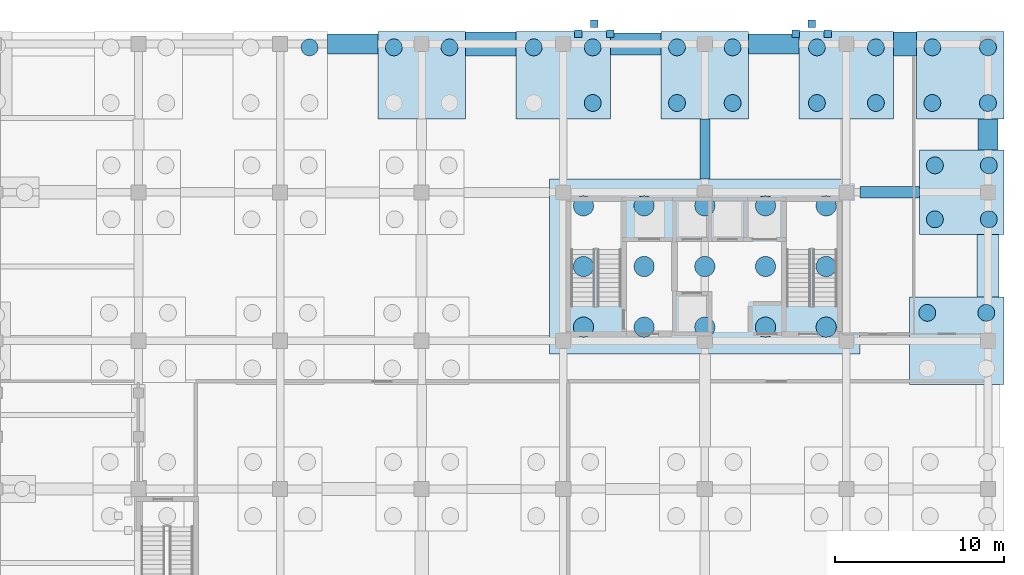
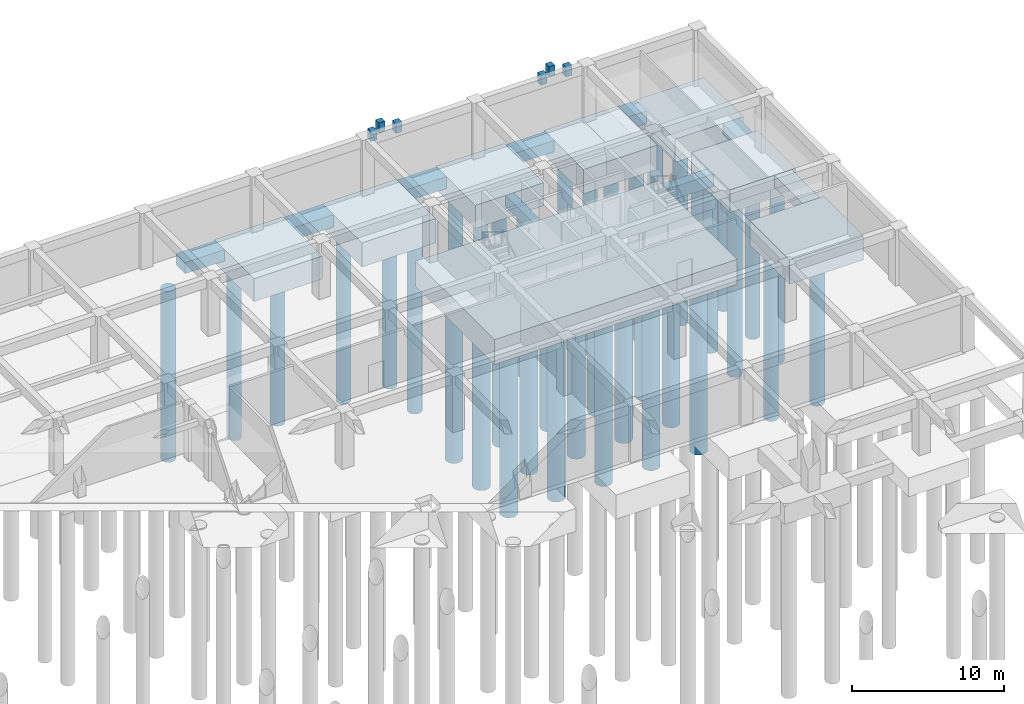
# One storey, part 12 of 41: 39 piles, 23 footings.
"""IFC4 building model written with IfcOpenShell, lengths in metres."""

from ifc_helpers import new_model, si_unit, direction, frame, origin, origin_2d, place, context, subcontext, project, spatial, rectangle, circle, extrude, material, material_profile, profile_set, type_object, element, save


model = new_model("IFC4")

# Units and contexts
model_context = context("Model", 3, precision=1e-05, world=origin(), true_north=direction((0.0, 1.0)))
body_context = subcontext(model_context, "Body", "Model", "MODEL_VIEW")
ifc_project = project(units=[si_unit("LENGTHUNIT", "METRE"), si_unit("AREAUNIT", "SQUARE_METRE"), si_unit("VOLUMEUNIT", "CUBIC_METRE"), si_unit("PLANEANGLEUNIT", "RADIAN"), si_unit("MASSUNIT", "GRAM", prefix="KILO")], contexts=[model_context])

# Site, building, storey
site_placement = place(None, origin())
site = spatial("IfcSite", under=ifc_project, at=site_placement, CompositionType="ELEMENT")
building_placement = place(site_placement, origin())
building = spatial("IfcBuilding", under=site, at=building_placement, Name="Kemercrest Conservatory and Botanical Centre", CompositionType="ELEMENT")
storey_placement = place(building_placement, frame((0.0, 0.0, -4.5)))
storey = spatial("IfcBuildingStorey", under=building, at=storey_placement, Name="B1", CompositionType="ELEMENT", Elevation=-4.5)

# Piles
ifc_material = material(Name="Concrete C40/50", Category="concrete")
ifc_material_profile_1 = material_profile(ifc_material, circle(Radius=0.5, at=origin_2d()), Name="BORED PILE 1000")
ifc_profile_set_1 = profile_set([ifc_material_profile_1], Name="Concrete C40/50")
pile_type_1 = type_object("IfcPileType", Name="BP-01", PredefinedType="BORED", material=ifc_profile_set_1)
pile_placement = place(storey_placement, frame((135.75, 122.199951171875, -2.300048828125), z_axis=(0.0, 0.0, -1.0), x_axis=(1.0, 0.0, 0.0)))
element("IfcPile", 1, at=pile_placement, inside=storey, type_object=pile_type_1, Name="Bored pile BP-01 #379", PredefinedType="BORED", context=body_context, shape_type="SweptSolid", body=[
    extrude(circle(Radius=0.5, at=origin_2d()), origin(), (0.0, 0.0, 1.0), 13.699951171875),
])
for number, where, z_axis, x_axis, name in (
    (2, (140.75, 122.199951171875, -2.199951171875), (0.0, 0.0, -1.0), (1.0, 0.0, 0.0), "Bored pile BP-01 #414"),
    (3, (144.050048828125, 122.199951171875, -2.199951171875), (0.0, 0.0, -1.0), (1.0, 0.0, 0.0), "Bored pile BP-01 #416"),
):
    element("IfcPile", number, at=place(storey_placement, frame(where, z_axis=z_axis, x_axis=x_axis)), inside=storey, type_object=pile_type_1, Name=name, PredefinedType="BORED", context=body_context, shape_type="SweptSolid", body=[
        extrude(circle(Radius=0.5, at=origin_2d()), origin(), (0.0, 0.0, 1.0), 13.800048828125),
    ])
for number, where, z_axis, x_axis, name in (
    (4, (149.050048828125, 122.199951171875, -2.300048828125), (0.0, 0.0, -1.0), (1.0, 0.0, 0.0), "Bored pile BP-01 #442"),
    (5, (152.550048828125, 118.89990234375, -2.300048828125), (0.0, 0.0, -1.0), (1.0, 0.0, 0.0), "Bored pile BP-01 #443"),
    (6, (152.550048828125, 122.199951171875, -2.300048828125), (0.0, 0.0, -1.0), (1.0, 0.0, 0.0), "Bored pile BP-01 #444"),
):
    element("IfcPile", number, at=place(storey_placement, frame(where, z_axis=z_axis, x_axis=x_axis)), inside=storey, type_object=pile_type_1, Name=name, PredefinedType="BORED", context=body_context, shape_type="SweptSolid", body=[
        extrude(circle(Radius=0.5, at=origin_2d()), origin(), (0.0, 0.0, 1.0), 13.699951171875),
    ])
for number, where, z_axis, x_axis, name in (
    (7, (157.550048828125, 118.89990234375, -2.199951171875), (0.0, 0.0, -1.0), (1.0, 0.0, 0.0), "Bored pile BP-01 #469"),
    (8, (157.550048828125, 122.199951171875, -2.199951171875), (0.0, 0.0, -1.0), (1.0, 0.0, 0.0), "Bored pile BP-01 #470"),
    (9, (160.85009765625, 118.89990234375, -2.199951171875), (0.0, 0.0, -1.0), (1.0, 0.0, 0.0), "Bored pile BP-01 #471"),
    (10, (160.85009765625, 122.199951171875, -2.199951171875), (0.0, 0.0, -1.0), (1.0, 0.0, 0.0), "Bored pile BP-01 #472"),
):
    element("IfcPile", number, at=place(storey_placement, frame(where, z_axis=z_axis, x_axis=x_axis)), inside=storey, type_object=pile_type_1, Name=name, PredefinedType="BORED", context=body_context, shape_type="SweptSolid", body=[
        extrude(circle(Radius=0.5, at=origin_2d()), origin(), (0.0, 0.0, 1.0), 13.800048828125),
    ])
for number, where, z_axis, x_axis, name in (
    (11, (165.85009765625, 118.89990234375, -2.300048828125), (0.0, 0.0, -1.0), (1.0, 0.0, 0.0), "Bored pile BP-01 #498"),
    (12, (165.85009765625, 122.199951171875, -2.300048828125), (0.0, 0.0, -1.0), (1.0, 0.0, 0.0), "Bored pile BP-01 #499"),
    (13, (169.35009765625, 118.89990234375, -2.300048828125), (0.0, 0.0, -1.0), (1.0, 0.0, 0.0), "Bored pile BP-01 #500"),
    (14, (169.35009765625, 122.199951171875, -2.300048828125), (0.0, 0.0, -1.0), (1.0, 0.0, 0.0), "Bored pile BP-01 #501"),
    (15, (172.39990234375, 106.449951171875, -2.300048828125), (0.0, 0.0, -1.0), (1.0, 0.0, 0.0), "Bored pile BP-01 #527"),
    (16, (175.89990234375, 106.449951171875, -2.300048828125), (0.0, 0.0, -1.0), (1.0, 0.0, 0.0), "Bored pile BP-01 #529"),
):
    element("IfcPile", number, at=place(storey_placement, frame(where, z_axis=z_axis, x_axis=x_axis)), inside=storey, type_object=pile_type_1, Name=name, PredefinedType="BORED", context=body_context, shape_type="SweptSolid", body=[
        extrude(circle(Radius=0.5, at=origin_2d()), origin(), (0.0, 0.0, 1.0), 13.699951171875),
    ])
for number, where, z_axis, x_axis, name in (
    (17, (172.85009765625, 112.0, -2.14990234375), (0.0, 0.0, -1.0), (1.0, 0.0, 0.0), "Bored pile BP-01 #530"),
    (18, (172.85009765625, 115.199951171875, -2.14990234375), (0.0, 0.0, -1.0), (1.0, 0.0, 0.0), "Bored pile BP-01 #531"),
    (19, (176.050048828125, 112.0, -2.14990234375), (0.0, 0.0, -1.0), (1.0, 0.0, 0.0), "Bored pile BP-01 #532"),
    (20, (176.050048828125, 115.199951171875, -2.14990234375), (0.0, 0.0, -1.0), (1.0, 0.0, 0.0), "Bored pile BP-01 #533"),
):
    element("IfcPile", number, at=place(storey_placement, frame(where, z_axis=z_axis, x_axis=x_axis)), inside=storey, type_object=pile_type_1, Name=name, PredefinedType="BORED", context=body_context, shape_type="SweptSolid", body=[
        extrude(circle(Radius=0.5, at=origin_2d()), origin(), (0.0, 0.0, 1.0), 13.85009765625),
    ])
for number, where, z_axis, x_axis, name in (
    (21, (172.699951171875, 118.89990234375, -2.199951171875), (0.0, 0.0, -1.0), (1.0, 0.0, 0.0), "Bored pile BP-01 #534"),
    (22, (172.699951171875, 122.199951171875, -2.199951171875), (0.0, 0.0, -1.0), (1.0, 0.0, 0.0), "Bored pile BP-01 #535"),
    (23, (176.0, 118.89990234375, -2.199951171875), (0.0, 0.0, -1.0), (1.0, 0.0, 0.0), "Bored pile BP-01 #536"),
    (24, (176.0, 122.199951171875, -2.199951171875), (0.0, 0.0, -1.0), (1.0, 0.0, 0.0), "Bored pile BP-01 #537"),
):
    element("IfcPile", number, at=place(storey_placement, frame(where, z_axis=z_axis, x_axis=x_axis)), inside=storey, type_object=pile_type_1, Name=name, PredefinedType="BORED", context=body_context, shape_type="SweptSolid", body=[
        extrude(circle(Radius=0.5, at=origin_2d()), origin(), (0.0, 0.0, 1.0), 13.800048828125),
    ])
ifc_material_profile_2 = material_profile(ifc_material, circle(Radius=0.60009765625, at=origin_2d()), Name="BORED PILE 1200")
ifc_profile_set_2 = profile_set([ifc_material_profile_2], Name="Concrete C40/50")
pile_type_2 = type_object("IfcPileType", Name="BP-03", PredefinedType="BORED", material=ifc_profile_set_2)
for number, where, z_axis, x_axis, name in (
    (25, (152.0, 105.60009765625, -2.35009765625), (0.0, 0.0, -1.0), (1.0, 0.0, 0.0), "Bored pile BP-03 #1"),
    (26, (152.0, 109.199951171875, -2.35009765625), (0.0, 0.0, -1.0), (1.0, 0.0, 0.0), "Bored pile BP-03 #2"),
    (27, (152.0, 112.800048828125, -2.35009765625), (0.0, 0.0, -1.0), (1.0, 0.0, 0.0), "Bored pile BP-03 #3"),
    (28, (155.60009765625, 105.60009765625, -2.35009765625), (0.0, 0.0, -1.0), (1.0, 0.0, 0.0), "Bored pile BP-03 #4"),
    (29, (155.60009765625, 109.199951171875, -2.35009765625), (0.0, 0.0, -1.0), (1.0, 0.0, 0.0), "Bored pile BP-03 #5"),
    (30, (155.60009765625, 112.800048828125, -2.35009765625), (0.0, 0.0, -1.0), (1.0, 0.0, 0.0), "Bored pile BP-03 #6"),
    (31, (159.199951171875, 105.60009765625, -2.35009765625), (0.0, 0.0, -1.0), (1.0, 0.0, 0.0), "Bored pile BP-03 #7"),
    (32, (159.199951171875, 109.199951171875, -2.35009765625), (0.0, 0.0, -1.0), (1.0, 0.0, 0.0), "Bored pile BP-03 #8"),
    (33, (159.199951171875, 112.800048828125, -2.35009765625), (0.0, 0.0, -1.0), (1.0, 0.0, 0.0), "Bored pile BP-03 #9"),
    (34, (162.800048828125, 105.60009765625, -2.35009765625), (0.0, 0.0, -1.0), (1.0, 0.0, 0.0), "Bored pile BP-03 #10"),
    (35, (162.800048828125, 109.199951171875, -2.35009765625), (0.0, 0.0, -1.0), (1.0, 0.0, 0.0), "Bored pile BP-03 #11"),
    (36, (162.800048828125, 112.800048828125, -2.35009765625), (0.0, 0.0, -1.0), (1.0, 0.0, 0.0), "Bored pile BP-03 #12"),
    (37, (166.39990234375, 105.60009765625, -2.35009765625), (0.0, 0.0, -1.0), (1.0, 0.0, 0.0), "Bored pile BP-03 #13"),
    (38, (166.39990234375, 109.199951171875, -2.35009765625), (0.0, 0.0, -1.0), (1.0, 0.0, 0.0), "Bored pile BP-03 #14"),
    (39, (166.39990234375, 112.800048828125, -2.35009765625), (0.0, 0.0, -1.0), (1.0, 0.0, 0.0), "Bored pile BP-03 #15"),
):
    element("IfcPile", number, at=place(storey_placement, frame(where, z_axis=z_axis, x_axis=x_axis)), inside=storey, type_object=pile_type_2, Name=name, PredefinedType="BORED", context=body_context, shape_type="SweptSolid", body=[
        extrude(circle(Radius=0.60009765625, at=origin_2d()), origin(), (0.0, 0.0, 1.0), 13.64990234375),
    ])

# Footings
footing_type_1 = type_object("IfcFootingType", Name="FB-01", PredefinedType="FOOTING_BEAM", material=ifc_material)
footing_1_placement = place(storey_placement, frame((159.199951171875, 116.175048828125, -1.349853515625), z_axis=(0.0, 0.0, 1.0), x_axis=(1.0, 0.0, 0.0)))
element("IfcFooting", 40, at=footing_1_placement, inside=storey, type_object=footing_type_1, Name="Seismic tie footing beam FB-01", PredefinedType="FOOTING_BEAM", context=body_context, shape_type="SweptSolid", body=[
    extrude(rectangle(XDim=0.60009765625, YDim=3.550048828125, at=origin_2d()), origin(), (0.0, 0.0, 1.0), 0.89990234375),
])
footing_type_2 = type_object("IfcFootingType", Name="FB-02", PredefinedType="FOOTING_BEAM", material=ifc_material)
footing_2_placement = place(storey_placement, frame((170.175048828125, 113.60009765625, -1.449951171875), z_axis=(0.0, 0.0, 1.0), x_axis=(1.0, 0.0, 0.0)))
element("IfcFooting", 41, at=footing_2_placement, inside=storey, type_object=footing_type_2, Name="Seismic tie footing beam FB-02", PredefinedType="FOOTING_BEAM", context=body_context, shape_type="SweptSolid", body=[
    extrude(rectangle(XDim=3.550048828125, YDim=0.699951171875, at=origin_2d()), origin(), (0.0, 0.0, 1.0), 1.0),
])
footing_type_3 = type_object("IfcFootingType", Name="PC-06", PredefinedType="PILE_CAP", material=ifc_material)
footing_3_placement = place(storey_placement, frame((174.449951171875, 113.60009765625, -2.25), z_axis=(0.0, 0.0, 1.0), x_axis=(1.0, 0.0, 0.0)))
element("IfcFooting", 42, at=footing_3_placement, inside=storey, type_object=footing_type_3, Name="Pile cap PC-06 at (174.4, 113.6)", PredefinedType="PILE_CAP", context=body_context, shape_type="SweptSolid", body=[
    extrude(rectangle(XDim=5.0, YDim=5.0, at=origin_2d()), origin(), (0.0, 0.0, 1.0), 1.800048828125),
])
footing_type_4 = type_object("IfcFootingType", Name="PC-07", PredefinedType="PILE_CAP", material=ifc_material)
for number, where, z_axis, x_axis, name in (
    (43, (142.39990234375, 120.550048828125, -2.300048828125), (0.0, 0.0, 1.0), (1.0, 0.0, 0.0), "Pile cap PC-07 at (142.4, 120.5)"),
    (44, (159.199951171875, 120.550048828125, -2.300048828125), (0.0, 0.0, 1.0), (1.0, 0.0, 0.0), "Pile cap PC-07 at (159.2, 120.5)"),
    (45, (174.35009765625, 120.550048828125, -2.300048828125), (0.0, 0.0, 1.0), (1.0, 0.0, 0.0), "Pile cap PC-07 at (174.3, 120.5)"),
):
    element("IfcFooting", number, at=place(storey_placement, frame(where, z_axis=z_axis, x_axis=x_axis)), inside=storey, type_object=footing_type_4, Name=name, PredefinedType="PILE_CAP", context=body_context, shape_type="SweptSolid", body=[
        extrude(rectangle(XDim=5.199951171875, YDim=5.199951171875, at=origin_2d()), origin(), (0.0, 0.0, 1.0), 1.85009765625),
    ])
footing_type_5 = type_object("IfcFootingType", Name="PC-11", PredefinedType="PILE_CAP", material=ifc_material)
footing_4_placement = place(storey_placement, frame((159.199951171875, 109.199951171875, -2.449951171875), z_axis=(0.0, 0.0, 1.0), x_axis=(1.0, 0.0, 0.0)))
element("IfcFooting", 46, at=footing_4_placement, inside=storey, type_object=footing_type_5, Name="Pile cap PC-11 at (159.2, 109.2)", PredefinedType="PILE_CAP", context=body_context, shape_type="SweptSolid", body=[
    extrude(rectangle(XDim=18.39990234375, YDim=10.39990234375, at=origin_2d()), origin(), (0.0, 0.0, 1.0), 2.0),
])
footing_type_6 = type_object("IfcFootingType", Name="PC-15", PredefinedType="PILE_CAP", material=ifc_material)
for number, where, z_axis, x_axis, name in (
    (47, (150.800048828125, 120.550048828125, -2.39990234375), (0.0, 0.0, 1.0), (1.0, 0.0, 0.0), "Pile cap PC-15 at (150.8, 120.5)"),
    (48, (167.60009765625, 120.550048828125, -2.39990234375), (0.0, 0.0, 1.0), (1.0, 0.0, 0.0), "Pile cap PC-15 at (167.6, 120.5)"),
    (49, (174.14990234375, 104.800048828125, -2.39990234375), (0.0, 0.0, 1.0), (1.0, 0.0, 0.0), "Pile cap PC-15 at (174.2, 104.8)"),
):
    element("IfcFooting", number, at=place(storey_placement, frame(where, z_axis=z_axis, x_axis=x_axis)), inside=storey, type_object=footing_type_6, Name=name, PredefinedType="PILE_CAP", context=body_context, shape_type="SweptSolid", body=[
        extrude(rectangle(XDim=5.60009765625, YDim=5.199951171875, at=origin_2d()), origin(), (0.0, 0.0, 1.0), 1.949951171875),
    ])
footing_type_7 = type_object("IfcFootingType", Name="PF-01", PredefinedType="PAD_FOOTING", material=ifc_material)
for number, where, z_axis, x_axis, name in (
    (50, (166.489990234375, 123.0, 3.52001953125), (0.0, 0.0, 1.0), (-1.0, 0.0, 0.0), "Threshold pad ED036 grade pad footing L"),
    (51, (164.590087890625, 123.0, 3.52001953125), (0.0, 0.0, 1.0), (-1.0, 0.0, 0.0), "Threshold pad ED036 grade pad footing R"),
    (52, (165.5400390625, 123.60009765625, 3.52001953125), (0.0, 0.0, 1.0), (-1.0, 0.0, 0.0), "Threshold pad ED036 grade pad footing F"),
    (53, (153.590087890625, 123.0, 3.52001953125), (0.0, 0.0, 1.0), (-1.0, 0.0, 0.0), "Threshold pad ED037 grade pad footing L"),
    (54, (151.68994140625, 123.0, 3.52001953125), (0.0, 0.0, 1.0), (-1.0, 0.0, 0.0), "Threshold pad ED037 grade pad footing R"),
    (55, (152.639892578125, 123.60009765625, 3.52001953125), (0.0, 0.0, 1.0), (-1.0, 0.0, 0.0), "Threshold pad ED037 grade pad footing F"),
):
    element("IfcFooting", number, at=place(storey_placement, frame(where, z_axis=z_axis, x_axis=x_axis)), inside=storey, type_object=footing_type_7, Name=name, PredefinedType="PAD_FOOTING", context=body_context, shape_type="SweptSolid", body=[
        extrude(rectangle(XDim=0.449951171875, YDim=0.449951171875, at=origin_2d()), origin(), (0.0, 0.0, 1.0), 0.800048828125),
    ])
footing_type_8 = type_object("IfcFootingType", Name="SF-01", PredefinedType="STRIP_FOOTING", material=ifc_material)
for number, where, z_axis, x_axis, name in (
    (56, (138.300048828125, 122.39990234375, -1.349853515625), (0.0, 0.0, 1.0), (1.0, 0.0, 0.0), "Perimeter strip footing SF-01"),
    (57, (163.300048828125, 122.39990234375, -1.349853515625), (0.0, 0.0, 1.0), (1.0, 0.0, 0.0), "Perimeter strip footing SF-01"),
):
    element("IfcFooting", number, at=place(storey_placement, frame(where, z_axis=z_axis, x_axis=x_axis)), inside=storey, type_object=footing_type_8, Name=name, PredefinedType="STRIP_FOOTING", context=body_context, shape_type="SweptSolid", body=[
        extrude(rectangle(XDim=3.0, YDim=1.199951171875, at=origin_2d()), origin(), (0.0, 0.0, 1.0), 0.89990234375),
    ])
footing_5_placement = place(storey_placement, frame((176.0, 117.02490234375, -1.349853515625), z_axis=(0.0, 0.0, 1.0), x_axis=(1.0, 0.0, 0.0)))
element("IfcFooting", 58, at=footing_5_placement, inside=storey, type_object=footing_type_8, Name="Perimeter strip footing SF-01", PredefinedType="STRIP_FOOTING", context=body_context, shape_type="SweptSolid", body=[
    extrude(rectangle(XDim=1.199951171875, YDim=1.85009765625, at=origin_2d()), origin(), (0.0, 0.0, 1.0), 0.89990234375),
])
footing_type_9 = type_object("IfcFootingType", Name="SF-02", PredefinedType="STRIP_FOOTING", material=ifc_material)
footing_6_placement = place(storey_placement, frame((146.5, 122.39990234375, -1.449951171875), z_axis=(0.0, 0.0, 1.0), x_axis=(1.0, 0.0, 0.0)))
element("IfcFooting", 59, at=footing_6_placement, inside=storey, type_object=footing_type_9, Name="Perimeter strip footing SF-02", PredefinedType="STRIP_FOOTING", context=body_context, shape_type="SweptSolid", body=[
    extrude(rectangle(XDim=3.0, YDim=1.39990234375, at=origin_2d()), origin(), (0.0, 0.0, 1.0), 1.0),
])
footing_7_placement = place(storey_placement, frame((171.074951171875, 122.39990234375, -1.449951171875), z_axis=(0.0, 0.0, 1.0), x_axis=(1.0, 0.0, 0.0)))
element("IfcFooting", 60, at=footing_7_placement, inside=storey, type_object=footing_type_9, Name="Perimeter strip footing SF-02", PredefinedType="STRIP_FOOTING", context=body_context, shape_type="SweptSolid", body=[
    extrude(rectangle(XDim=1.35009765625, YDim=1.39990234375, at=origin_2d()), origin(), (0.0, 0.0, 1.0), 1.0),
])
footing_type_10 = type_object("IfcFootingType", Name="SF-03", PredefinedType="STRIP_FOOTING", material=ifc_material)
footing_8_placement = place(storey_placement, frame((155.10009765625, 122.39990234375, -1.39990234375), z_axis=(0.0, 0.0, 1.0), x_axis=(1.0, 0.0, 0.0)))
element("IfcFooting", 61, at=footing_8_placement, inside=storey, type_object=footing_type_10, Name="Perimeter strip footing SF-03", PredefinedType="STRIP_FOOTING", context=body_context, shape_type="SweptSolid", body=[
    extrude(rectangle(XDim=3.0, YDim=1.300048828125, at=origin_2d()), origin(), (0.0, 0.0, 1.0), 0.949951171875),
])
footing_9_placement = place(storey_placement, frame((176.0, 109.25, -1.39990234375), z_axis=(0.0, 0.0, 1.0), x_axis=(1.0, 0.0, 0.0)))
element("IfcFooting", 62, at=footing_9_placement, inside=storey, type_object=footing_type_10, Name="Perimeter strip footing SF-03", PredefinedType="STRIP_FOOTING", context=body_context, shape_type="SweptSolid", body=[
    extrude(rectangle(XDim=1.300048828125, YDim=3.699951171875, at=origin_2d()), origin(), (0.0, 0.0, 1.0), 0.949951171875),
])

save(model, "model.ifc")
